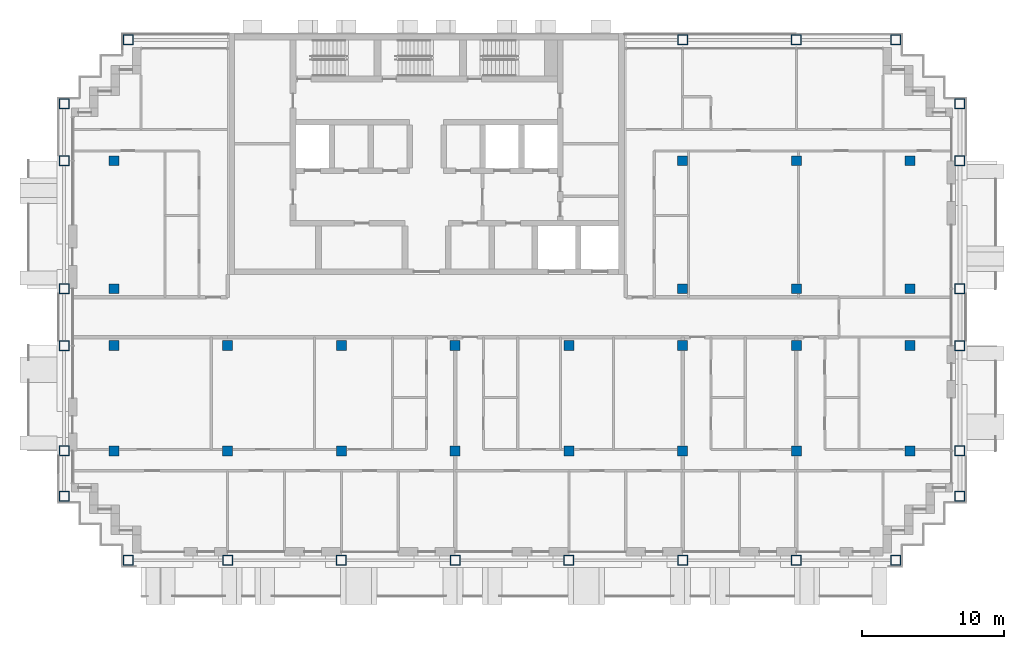
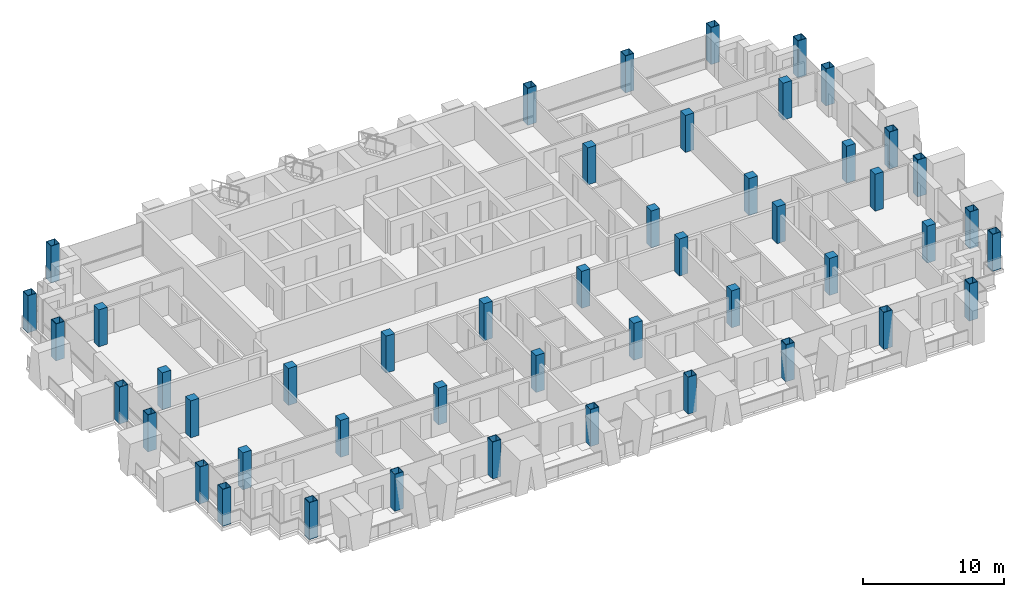
# One storey, part 1 of 16: 48 columns.
"""IFC4 building model written with IfcOpenShell, lengths in metres."""

from ifc_helpers import new_model, si_unit, direction, frame, origin, origin_2d, place, context, subcontext, project, spatial, rectangle, hollow_rectangle, extrude, material, material_profile, profile_set, type_object, element, save


model = new_model("IFC4")

# Units and contexts
model_context = context("Model", 3, precision=1e-05, world=origin(), true_north=direction((0.0, 1.0)))
body_context = subcontext(model_context, "Body", "Model", "MODEL_VIEW")
ifc_project = project(units=[si_unit("LENGTHUNIT", "METRE"), si_unit("AREAUNIT", "SQUARE_METRE"), si_unit("VOLUMEUNIT", "CUBIC_METRE"), si_unit("PLANEANGLEUNIT", "RADIAN"), si_unit("MASSUNIT", "GRAM", prefix="KILO")], contexts=[model_context])

# Site, building, storey
site_placement = place(None, origin())
site = spatial("IfcSite", under=ifc_project, at=site_placement, CompositionType="ELEMENT")
building_placement = place(site_placement, origin())
building = spatial("IfcBuilding", under=site, at=building_placement, Name="Vidyagriha Tower", CompositionType="ELEMENT")
storey_placement = place(building_placement, frame((0.0, 0.0, 174.89990234375)))
storey = spatial("IfcBuildingStorey", under=building, at=storey_placement, Name="L45", CompositionType="ELEMENT", Elevation=174.89990234375)

# Columns
ifc_material_1 = material(Name="Steel ASTM A572 Grade 50", Category="steel")
ifc_material_profile_1 = material_profile(ifc_material_1, hollow_rectangle(XDim=0.699951171875, YDim=0.699951171875, WallThickness=0.035888671875, at=origin_2d()), Name="BOX 700x700x36")
ifc_profile_set_1 = profile_set([ifc_material_profile_1], Name="Steel ASTM A572 Grade 50")
column_type_1 = type_object("IfcColumnType", Name="Exoskeleton column BOX 700x700x36", PredefinedType="COLUMN", material=ifc_profile_set_1)
for number, where, name in (
    (1, (-21.0, -17.10009765625, 0.0), "st-col-L45-B4-001"),
    (2, (-14.0, -17.10009765625, 0.0), "st-col-L45-B4-002"),
    (3, (-6.0, -17.10009765625, 0.0), "st-col-L45-B4-003"),
    (4, (2.0, -17.10009765625, 0.0), "st-col-L45-B4-004"),
    (5, (10.0, -17.10009765625, 0.0), "st-col-L45-B4-005"),
    (6, (18.0, -17.10009765625, 0.0), "st-col-L45-B4-006"),
    (7, (26.0, -17.10009765625, 0.0), "st-col-L45-B4-007"),
    (8, (33.0, -17.10009765625, 0.0), "st-col-L45-B4-008"),
    (9, (-25.5, -12.60009765625, 0.0), "st-col-L45-B4-009"),
    (10, (37.5, -12.60009765625, 0.0), "st-col-L45-B4-010"),
    (11, (-25.5, -9.39990234375, 0.0), "st-col-L45-B4-011"),
    (12, (37.5, -9.39990234375, 0.0), "st-col-L45-B4-020"),
    (13, (-25.5, -2.0, 0.0), "st-col-L45-B4-021"),
    (14, (37.5, -2.0, 0.0), "st-col-L45-B4-030"),
    (15, (-25.5, 2.0, 0.0), "st-col-L45-B4-031"),
    (16, (37.5, 2.0, 0.0), "st-col-L45-B4-036"),
    (17, (-25.5, 11.0, 0.0), "st-col-L45-B4-037"),
    (18, (37.5, 11.0, 0.0), "st-col-L45-B4-042"),
    (19, (-25.5, 15.0, 0.0), "st-col-L45-B4-043"),
    (20, (37.5, 15.0, 0.0), "st-col-L45-B4-044"),
    (21, (-21.0, 19.5, 0.0), "st-col-L45-B4-045"),
    (22, (18.0, 19.5, 0.0), "st-col-L45-B4-046"),
    (23, (26.0, 19.5, 0.0), "st-col-L45-B4-047"),
    (24, (33.0, 19.5, 0.0), "st-col-L45-B4-048"),
):
    element("IfcColumn", number, at=place(storey_placement, frame(where)), inside=storey, type_object=column_type_1, Name=name, PredefinedType="COLUMN", context=body_context, shape_type="SweptSolid", body=[
        extrude(hollow_rectangle(XDim=0.699951171875, YDim=0.699951171875, WallThickness=0.035888671875, at=origin_2d()), origin(), (0.0, 0.0, 1.0), 3.2001953125),
    ])
ifc_material_2 = material(Name="Concrete C60/75", Category="concrete")
ifc_material_profile_2 = material_profile(ifc_material_2, rectangle(XDim=0.699951171875, YDim=0.699951171875, at=origin_2d()), Name="RC 700x700")
ifc_profile_set_2 = profile_set([ifc_material_profile_2], Name="Concrete C60/75")
column_type_2 = type_object("IfcColumnType", Name="Frame column RC 700x700", PredefinedType="COLUMN", material=ifc_profile_set_2)
for number, where, name in (
    (25, (-22.0, -9.39990234375, 0.0), "st-col-L45-B4-012"),
    (26, (-14.0, -9.39990234375, 0.0), "st-col-L45-B4-013"),
    (27, (-6.0, -9.39990234375, 0.0), "st-col-L45-B4-014"),
    (28, (2.0, -9.39990234375, 0.0), "st-col-L45-B4-015"),
    (29, (10.0, -9.39990234375, 0.0), "st-col-L45-B4-016"),
    (30, (18.0, -9.39990234375, 0.0), "st-col-L45-B4-017"),
    (31, (26.0, -9.39990234375, 0.0), "st-col-L45-B4-018"),
    (32, (34.0, -9.39990234375, 0.0), "st-col-L45-B4-019"),
    (33, (-22.0, -2.0, 0.0), "st-col-L45-B4-022"),
    (34, (-14.0, -2.0, 0.0), "st-col-L45-B4-023"),
    (35, (-6.0, -2.0, 0.0), "st-col-L45-B4-024"),
    (36, (2.0, -2.0, 0.0), "st-col-L45-B4-025"),
    (37, (10.0, -2.0, 0.0), "st-col-L45-B4-026"),
    (38, (18.0, -2.0, 0.0), "st-col-L45-B4-027"),
    (39, (26.0, -2.0, 0.0), "st-col-L45-B4-028"),
    (40, (34.0, -2.0, 0.0), "st-col-L45-B4-029"),
    (41, (-22.0, 2.0, 0.0), "st-col-L45-B4-032"),
    (42, (18.0, 2.0, 0.0), "st-col-L45-B4-033"),
    (43, (26.0, 2.0, 0.0), "st-col-L45-B4-034"),
    (44, (34.0, 2.0, 0.0), "st-col-L45-B4-035"),
    (45, (-22.0, 11.0, 0.0), "st-col-L45-B4-038"),
    (46, (18.0, 11.0, 0.0), "st-col-L45-B4-039"),
    (47, (26.0, 11.0, 0.0), "st-col-L45-B4-040"),
    (48, (34.0, 11.0, 0.0), "st-col-L45-B4-041"),
):
    element("IfcColumn", number, at=place(storey_placement, frame(where)), inside=storey, type_object=column_type_2, Name=name, PredefinedType="COLUMN", context=body_context, shape_type="SweptSolid", body=[
        extrude(rectangle(XDim=0.699951171875, YDim=0.699951171875, at=origin_2d()), origin(), (0.0, 0.0, 1.0), 3.2001953125),
    ])

save(model, "model.ifc")
